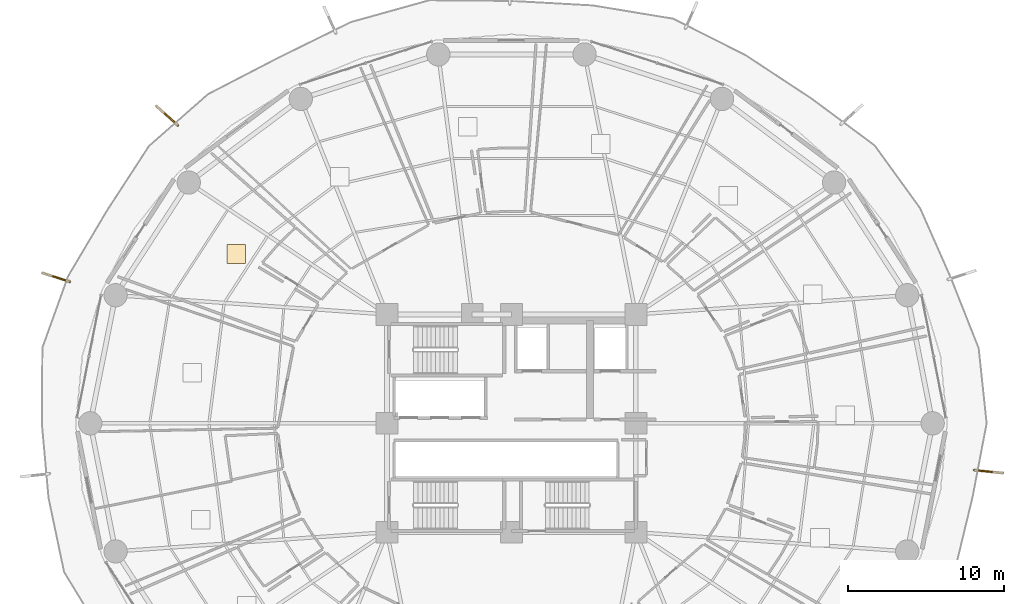
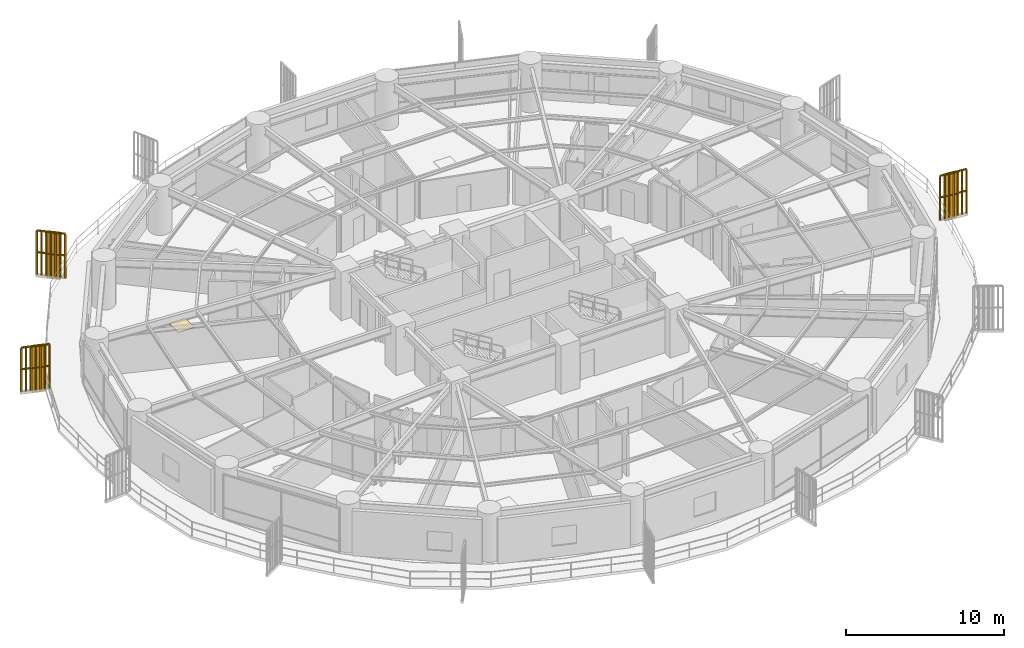
# One storey, part 31 of 33: 3 railings, 3 shading devices, 1 covering.
"""IFC4 building model written with IfcOpenShell, lengths in metres."""

from ifc_helpers import new_model, si_unit, direction, frame, origin, origin_2d, place, context, subcontext, project, spatial, polyline, rectangle, outline, extrude, source, transform, mapped, material, layer, layer_set, type_object, element, save


model = new_model("IFC4")

# Units and contexts
model_context = context("Model", 3, precision=1e-05, world=origin(), true_north=direction((0.0, 1.0)))
body_context = subcontext(model_context, "Body", "Model", "MODEL_VIEW")
ifc_project = project(units=[si_unit("LENGTHUNIT", "METRE"), si_unit("AREAUNIT", "SQUARE_METRE"), si_unit("VOLUMEUNIT", "CUBIC_METRE"), si_unit("PLANEANGLEUNIT", "RADIAN"), si_unit("MASSUNIT", "GRAM", prefix="KILO")], contexts=[model_context])

# Site, building, storey
site_placement = place(None, origin())
site = spatial("IfcSite", under=ifc_project, at=site_placement, CompositionType="ELEMENT")
building_placement = place(site_placement, origin())
building = spatial("IfcBuilding", under=site, at=building_placement, Name="Kelanora Arch Commons", CompositionType="ELEMENT")
storey_placement = place(building_placement, frame((0.0, 0.0, 41.25)))
storey = spatial("IfcBuildingStorey", under=building, at=storey_placement, Name="L10", CompositionType="ELEMENT", Elevation=41.25)

# Railings
ifc_material_1 = material(Name="Anodised bronze vertical shading fin rib assembly")
railing_type = type_object("IfcRailingType", Name="RAIL-FIN-BRZ", PredefinedType="BALUSTRADE", material=ifc_material_1)
railing_1_placement = place(storey_placement, frame((52.55078125, 77.162109375, -0.02001953125)))
element("IfcRailing", 1, at=railing_1_placement, inside=storey, type_object=railing_type, Name="Sweeping Bronze Vertical Fin Blade L10-05", PredefinedType="BALUSTRADE", context=body_context, shape_type="SweptSolid", body=[
    extrude(outline(polyline([(0.06982421875, 0.0), (0.034912109375, 0.060546875), (-0.034912109375, 0.060546875), (-0.06982421875, 0.0), (-0.034912109375, -0.060546875), (0.034912109375, -0.060546875), (0.06982421875, 0.0)])), frame((0.0, 0.0, 3.419921875), z_axis=(-0.74568131628, 0.666302764929, 0.0), x_axis=(-0.666302764929, -0.74568131628, 0.0)), (0.0, 0.0, 1.0), 1.84228515625),
    extrude(outline(polyline([(0.06982421875, 0.0), (0.034912109375, 0.060546875), (-0.034912109375, 0.060546875), (-0.06982421875, 0.0), (-0.034912109375, -0.060546875), (0.034912109375, -0.060546875), (0.06982421875, 0.0)])), frame((0.0, 0.0, 1.7451171875), z_axis=(-0.74568131628, 0.666302764929, 0.0), x_axis=(-0.666302764929, -0.74568131628, 0.0)), (0.0, 0.0, 1.0), 1.84228515625),
    extrude(outline(polyline([(0.080078125, 0.0), (0.0400390625, 0.0693359375), (-0.0400390625, 0.0693359375), (-0.080078125, 0.0), (-0.0400390625, -0.0693359375), (0.0400390625, -0.0693359375), (0.080078125, 0.0)])), origin(), (0.0, 0.0, 1.0), 3.35009765625),
    extrude(outline(polyline([(0.080078125, 0.0), (0.0400390625, 0.0693359375), (-0.0400390625, 0.0693359375), (-0.080078125, 0.0), (-0.0400390625, -0.0693359375), (0.0400390625, -0.0693359375), (0.080078125, 0.0)])), frame((-0.22900390625, 0.20458984375, 0.0)), (0.0, 0.0, 1.0), 3.35009765625),
    extrude(outline(polyline([(0.080078125, 0.0), (0.0400390625, 0.0693359375), (-0.0400390625, 0.0693359375), (-0.080078125, 0.0), (-0.0400390625, -0.0693359375), (0.0400390625, -0.0693359375), (0.080078125, 0.0)])), frame((-0.4580078125, 0.4091796875, 0.0)), (0.0, 0.0, 1.0), 3.35009765625),
    extrude(outline(polyline([(0.080078125, 0.0), (0.0400390625, 0.0693359375), (-0.0400390625, 0.0693359375), (-0.080078125, 0.0), (-0.0400390625, -0.0693359375), (0.0400390625, -0.0693359375), (0.080078125, 0.0)])), frame((-0.68701171875, 0.61376953125, 0.0)), (0.0, 0.0, 1.0), 3.35009765625),
    extrude(outline(polyline([(0.080078125, 0.0), (0.0400390625, 0.0693359375), (-0.0400390625, 0.0693359375), (-0.080078125, 0.0), (-0.0400390625, -0.0693359375), (0.0400390625, -0.0693359375), (0.080078125, 0.0)])), frame((-0.915771484375, 0.818359375, 0.0)), (0.0, 0.0, 1.0), 3.35009765625),
    extrude(outline(polyline([(0.080078125, 0.0), (0.0400390625, 0.0693359375), (-0.0400390625, 0.0693359375), (-0.080078125, 0.0), (-0.0400390625, -0.0693359375), (0.0400390625, -0.0693359375), (0.080078125, 0.0)])), frame((-1.144775390625, 1.02294921875, 0.0)), (0.0, 0.0, 1.0), 3.35009765625),
    extrude(outline(polyline([(0.080078125, 0.0), (0.0400390625, 0.0693359375), (-0.0400390625, 0.0693359375), (-0.080078125, 0.0), (-0.0400390625, -0.0693359375), (0.0400390625, -0.0693359375), (0.080078125, 0.0)])), frame((-1.373779296875, 1.2275390625, 0.0)), (0.0, 0.0, 1.0), 3.35009765625),
])
railing_2_placement = place(storey_placement, frame((45.602783203125, 67.104736328125, -0.02001953125)))
element("IfcRailing", 2, at=railing_2_placement, inside=storey, type_object=railing_type, Name="Sweeping Bronze Vertical Fin Blade L10-06", PredefinedType="BALUSTRADE", context=body_context, shape_type="SweptSolid", body=[
    extrude(outline(polyline([(0.06982421875, 0.0), (0.034912109375, 0.060546875), (-0.034912109375, 0.060546875), (-0.06982421875, 0.0), (-0.034912109375, -0.060546875), (0.034912109375, -0.060546875), (0.06982421875, 0.0)])), frame((0.0, 0.0, 3.419921875), z_axis=(-0.952225494595, 0.305395820932, 0.0), x_axis=(-0.305395820932, -0.952225494595, 0.0)), (0.0, 0.0, 1.0), 1.8427734375),
    extrude(outline(polyline([(0.06982421875, 0.0), (0.034912109375, 0.060546875), (-0.034912109375, 0.060546875), (-0.06982421875, 0.0), (-0.034912109375, -0.060546875), (0.034912109375, -0.060546875), (0.06982421875, 0.0)])), frame((0.0, 0.0, 1.7451171875), z_axis=(-0.952225494595, 0.305395820932, 0.0), x_axis=(-0.305395820932, -0.952225494595, 0.0)), (0.0, 0.0, 1.0), 1.8427734375),
    extrude(outline(polyline([(0.080078125, 0.0), (0.0400390625, 0.0693359375), (-0.0400390625, 0.0693359375), (-0.080078125, 0.0), (-0.0400390625, -0.0693359375), (0.0400390625, -0.0693359375), (0.080078125, 0.0)])), origin(), (0.0, 0.0, 1.0), 3.35009765625),
    extrude(outline(polyline([(0.080078125, 0.0), (0.0400390625, 0.0693359375), (-0.0400390625, 0.0693359375), (-0.080078125, 0.0), (-0.0400390625, -0.0693359375), (0.0400390625, -0.0693359375), (0.080078125, 0.0)])), frame((-0.29248046875, 0.09375, 0.0)), (0.0, 0.0, 1.0), 3.35009765625),
    extrude(outline(polyline([(0.080078125, 0.0), (0.0400390625, 0.0693359375), (-0.0400390625, 0.0693359375), (-0.080078125, 0.0), (-0.0400390625, -0.0693359375), (0.0400390625, -0.0693359375), (0.080078125, 0.0)])), frame((-0.5849609375, 0.1875, 0.0)), (0.0, 0.0, 1.0), 3.35009765625),
    extrude(outline(polyline([(0.080078125, 0.0), (0.0400390625, 0.0693359375), (-0.0400390625, 0.0693359375), (-0.080078125, 0.0), (-0.0400390625, -0.0693359375), (0.0400390625, -0.0693359375), (0.080078125, 0.0)])), frame((-0.87744140625, 0.28125, 0.0)), (0.0, 0.0, 1.0), 3.35009765625),
    extrude(outline(polyline([(0.080078125, 0.0), (0.0400390625, 0.0693359375), (-0.0400390625, 0.0693359375), (-0.080078125, 0.0), (-0.0400390625, -0.0693359375), (0.0400390625, -0.0693359375), (0.080078125, 0.0)])), frame((-1.169677734375, 0.375244140625, 0.0)), (0.0, 0.0, 1.0), 3.35009765625),
    extrude(outline(polyline([(0.080078125, 0.0), (0.0400390625, 0.0693359375), (-0.0400390625, 0.0693359375), (-0.080078125, 0.0), (-0.0400390625, -0.0693359375), (0.0400390625, -0.0693359375), (0.080078125, 0.0)])), frame((-1.462158203125, 0.468994140625, 0.0)), (0.0, 0.0, 1.0), 3.35009765625),
    extrude(outline(polyline([(0.080078125, 0.0), (0.0400390625, 0.0693359375), (-0.0400390625, 0.0693359375), (-0.080078125, 0.0), (-0.0400390625, -0.0693359375), (0.0400390625, -0.0693359375), (0.080078125, 0.0)])), frame((-1.754638671875, 0.562744140625, 0.0)), (0.0, 0.0, 1.0), 3.35009765625),
])
railing_3_placement = place(storey_placement, frame((103.75341796875, 54.98974609375, -0.02001953125)))
element("IfcRailing", 3, at=railing_3_placement, inside=storey, type_object=railing_type, Name="Sweeping Bronze Vertical Fin Blade L10-14", PredefinedType="BALUSTRADE", context=body_context, shape_type="SweptSolid", body=[
    extrude(outline(polyline([(0.06982421875, 0.0), (0.034912109375, 0.060546875), (-0.034912109375, 0.060546875), (-0.06982421875, 0.0), (-0.034912109375, -0.060546875), (0.034912109375, -0.060546875), (0.06982421875, 0.0)])), frame((0.0, 0.0, 3.419921875), z_axis=(0.994930361743, -0.100566273081, 0.0), x_axis=(0.100566273081, 0.994930361743, 0.0)), (0.0, 0.0, 1.0), 1.842529296875),
    extrude(outline(polyline([(0.06982421875, 0.0), (0.034912109375, 0.060546875), (-0.034912109375, 0.060546875), (-0.06982421875, 0.0), (-0.034912109375, -0.060546875), (0.034912109375, -0.060546875), (0.06982421875, 0.0)])), frame((0.0, 0.0, 1.7451171875), z_axis=(0.994930361743, -0.100566273081, 0.0), x_axis=(0.100566273081, 0.994930361743, 0.0)), (0.0, 0.0, 1.0), 1.842529296875),
    extrude(outline(polyline([(0.080078125, 0.0), (0.0400390625, 0.0693359375), (-0.0400390625, 0.0693359375), (-0.080078125, 0.0), (-0.0400390625, -0.0693359375), (0.0400390625, -0.0693359375), (0.080078125, 0.0)])), origin(), (0.0, 0.0, 1.0), 3.35009765625),
    extrude(outline(polyline([(0.080078125, 0.0), (0.0400390625, 0.0693359375), (-0.0400390625, 0.0693359375), (-0.080078125, 0.0), (-0.0400390625, -0.0693359375), (0.0400390625, -0.0693359375), (0.080078125, 0.0)])), frame((0.3056640625, -0.03076171875, 0.0)), (0.0, 0.0, 1.0), 3.35009765625),
    extrude(outline(polyline([(0.080078125, 0.0), (0.0400390625, 0.0693359375), (-0.0400390625, 0.0693359375), (-0.080078125, 0.0), (-0.0400390625, -0.0693359375), (0.0400390625, -0.0693359375), (0.080078125, 0.0)])), frame((0.611083984375, -0.061767578125, 0.0)), (0.0, 0.0, 1.0), 3.35009765625),
    extrude(outline(polyline([(0.080078125, 0.0), (0.0400390625, 0.0693359375), (-0.0400390625, 0.0693359375), (-0.080078125, 0.0), (-0.0400390625, -0.0693359375), (0.0400390625, -0.0693359375), (0.080078125, 0.0)])), frame((0.91650390625, -0.0927734375, 0.0)), (0.0, 0.0, 1.0), 3.35009765625),
    extrude(outline(polyline([(0.080078125, 0.0), (0.0400390625, 0.0693359375), (-0.0400390625, 0.0693359375), (-0.080078125, 0.0), (-0.0400390625, -0.0693359375), (0.0400390625, -0.0693359375), (0.080078125, 0.0)])), frame((1.22216796875, -0.12353515625, 0.0)), (0.0, 0.0, 1.0), 3.35009765625),
    extrude(outline(polyline([(0.080078125, 0.0), (0.0400390625, 0.0693359375), (-0.0400390625, 0.0693359375), (-0.080078125, 0.0), (-0.0400390625, -0.0693359375), (0.0400390625, -0.0693359375), (0.080078125, 0.0)])), frame((1.52783203125, -0.154296875, 0.0)), (0.0, 0.0, 1.0), 3.35009765625),
    extrude(outline(polyline([(0.080078125, 0.0), (0.0400390625, 0.0693359375), (-0.0400390625, 0.0693359375), (-0.080078125, 0.0), (-0.0400390625, -0.0693359375), (0.0400390625, -0.0693359375), (0.080078125, 0.0)])), frame((1.833251953125, -0.185302734375, 0.0)), (0.0, 0.0, 1.0), 3.35009765625),
])

# Shading devices
ifc_material_2 = material(Name="Terracotta ceramic-clad extruded aluminium fin", Category="masonry")
shading_device_type = type_object("IfcShadingDeviceType", Name="SHD-FIN-FLARE", PredefinedType="USERDEFINED", material=ifc_material_2)
shared_shape_1 = source(origin(), body_context, "Body", "SweptSolid", [
    extrude(rectangle(XDim=0.8798828125, YDim=0.090087890625, at=origin_2d()), origin(), (0.0, 0.0, 1.0), 3.610107421875),
])
for number, where, z_axis, x_axis, name in (
    (4, (52.013916015625, 77.641845703125, -0.14013671875), (0.0, 0.0, 1.0), (-0.745708617985, 0.666272209433, 0.0), "Sweeping Terracotta Fin L10-05"),
    (5, (44.9169921875, 67.32470703125, -0.14013671875), (0.0, 0.0, 1.0), (-0.952236042525, 0.30536293049, 0.0), "Sweeping Terracotta Fin L10-06"),
    (6, (104.4697265625, 54.917236328125, -0.14013671875), (0.0, 0.0, 1.0), (0.994915923519, -0.100709012153, 0.0), "Sweeping Terracotta Fin L10-14"),
):
    element("IfcShadingDevice", number, at=place(storey_placement, frame(where, z_axis=z_axis, x_axis=x_axis)), inside=storey, type_object=shading_device_type, Name=name, ObjectType="FIN", PredefinedType="USERDEFINED", context=body_context, shape_type="MappedRepresentation", body=[
        mapped(shared_shape_1, transform((0.0, 0.0, 0.0), scale=1.0)),
    ])

# Covering
ifc_material_3 = material(Name="Polished local granite terrazzo flooring", Category="masonry")
ifc_layer = layer(ifc_material_3, 0.030029296875)
ifc_layer_set = layer_set([ifc_layer], Name="Polished local granite terrazzo flooring")
covering_type = type_object("IfcCoveringType", Name="COV-FLR-TER", PredefinedType="FLOORING", material=ifc_layer_set)
shared_shape_2 = source(origin(), body_context, "Body", "SweptSolid", [
    extrude(rectangle(XDim=1.199951171875, YDim=1.199951171875, at=origin_2d()), origin(), (0.0, 0.0, 1.0), 0.030029296875),
])
covering_placement = place(storey_placement, frame((56.30029296875, 68.884765625, 0.0), z_axis=(0.0, 0.0, 1.0), x_axis=(1.0, 0.0, 0.0)))
element("IfcCovering", 7, at=covering_placement, inside=storey, type_object=covering_type, Name="Co-Living Studio L10-06 Terrazzo Finish", PredefinedType="FLOORING", context=body_context, shape_type="MappedRepresentation", body=[
    mapped(shared_shape_2, transform((0.0, 0.0, 0.0), scale=1.0)),
])

save(model, "model.ifc")
